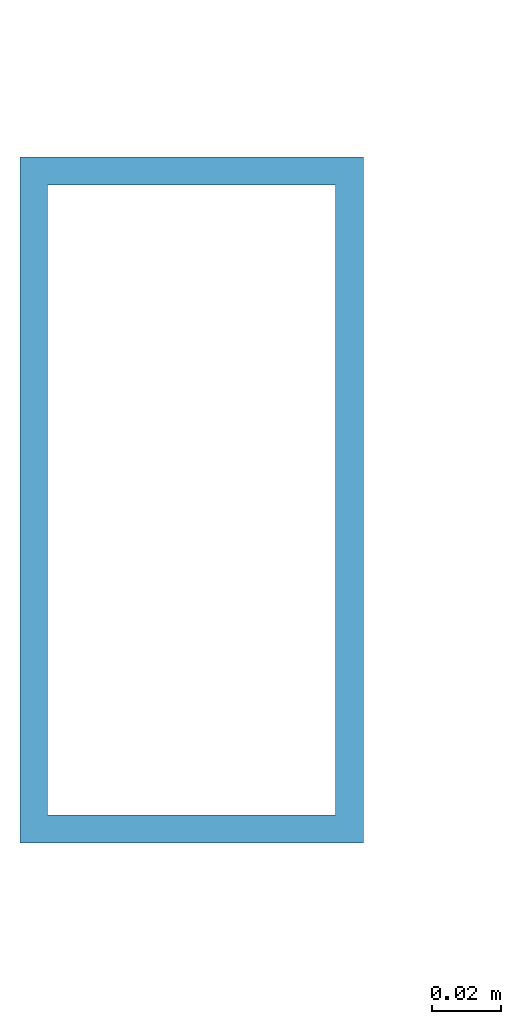
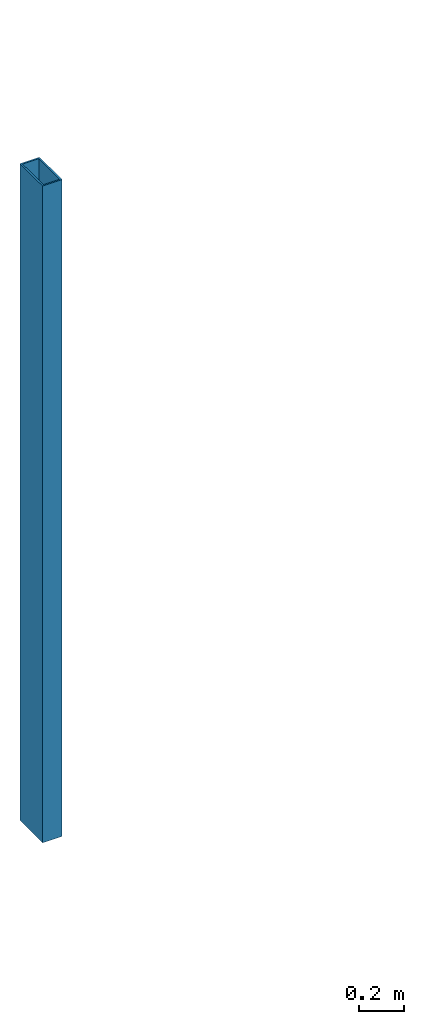
# One storey, part 21 of 67: 1 member.
"""IFC4 building model written with IfcOpenShell, lengths in metres."""

from ifc_helpers import new_model, si_unit, direction, frame, origin, origin_2d, place, context, subcontext, project, spatial, hollow_rectangle, extrude, material, material_profile, profile_set, type_object, element, save


model = new_model("IFC4")

# Units and contexts
model_context = context("Model", 3, precision=1e-05, world=origin(), true_north=direction((0.0, 1.0)))
body_context = subcontext(model_context, "Body", "Model", "MODEL_VIEW")
ifc_project = project(units=[si_unit("LENGTHUNIT", "METRE"), si_unit("AREAUNIT", "SQUARE_METRE"), si_unit("VOLUMEUNIT", "CUBIC_METRE"), si_unit("PLANEANGLEUNIT", "RADIAN"), si_unit("MASSUNIT", "GRAM", prefix="KILO")], contexts=[model_context])

# Site, building, storey
site_placement = place(None, origin())
site = spatial("IfcSite", under=ifc_project, at=site_placement, CompositionType="ELEMENT")
building_placement = place(site_placement, origin())
building = spatial("IfcBuilding", under=site, at=building_placement, Name="Tizgana Railside Sports Hall", CompositionType="ELEMENT")
storey_placement = place(building_placement, frame((0.0, 0.0, 12.0)))
storey = spatial("IfcBuildingStorey", under=building, at=storey_placement, Name="L02", CompositionType="ELEMENT", Elevation=12.0)

# Member
ifc_material = material(Name="Steel S355J2", Category="steel")
ifc_material_profile = material_profile(ifc_material, hollow_rectangle(XDim=0.10009765625, YDim=0.199951171875, WallThickness=0.008056640625, at=origin_2d()), Name="RHS 200x100x8")
ifc_profile_set = profile_set([ifc_material_profile], Name="Steel S355J2")
member_type = type_object("IfcMemberType", Name="Steel Brace RHS 200x100x8", PredefinedType="BRACE", material=ifc_profile_set)
member_placement = place(storey_placement, frame((0.0, 73.199951171875, 0.0), z_axis=(0.0, 0.0, 1.0), x_axis=(1.0, 0.0, 0.0)))
element("IfcMember", 1, at=member_placement, inside=storey, type_object=member_type, Name="L02 Tip Post MEM-0004", PredefinedType="BRACE", context=body_context, shape_type="SweptSolid", body=[
    extrude(hollow_rectangle(XDim=0.10009765625, YDim=0.199951171875, WallThickness=0.008056640625, at=origin_2d()), origin(), (0.0, 0.0, 1.0), 3.550048828125),
])

save(model, "model.ifc")
